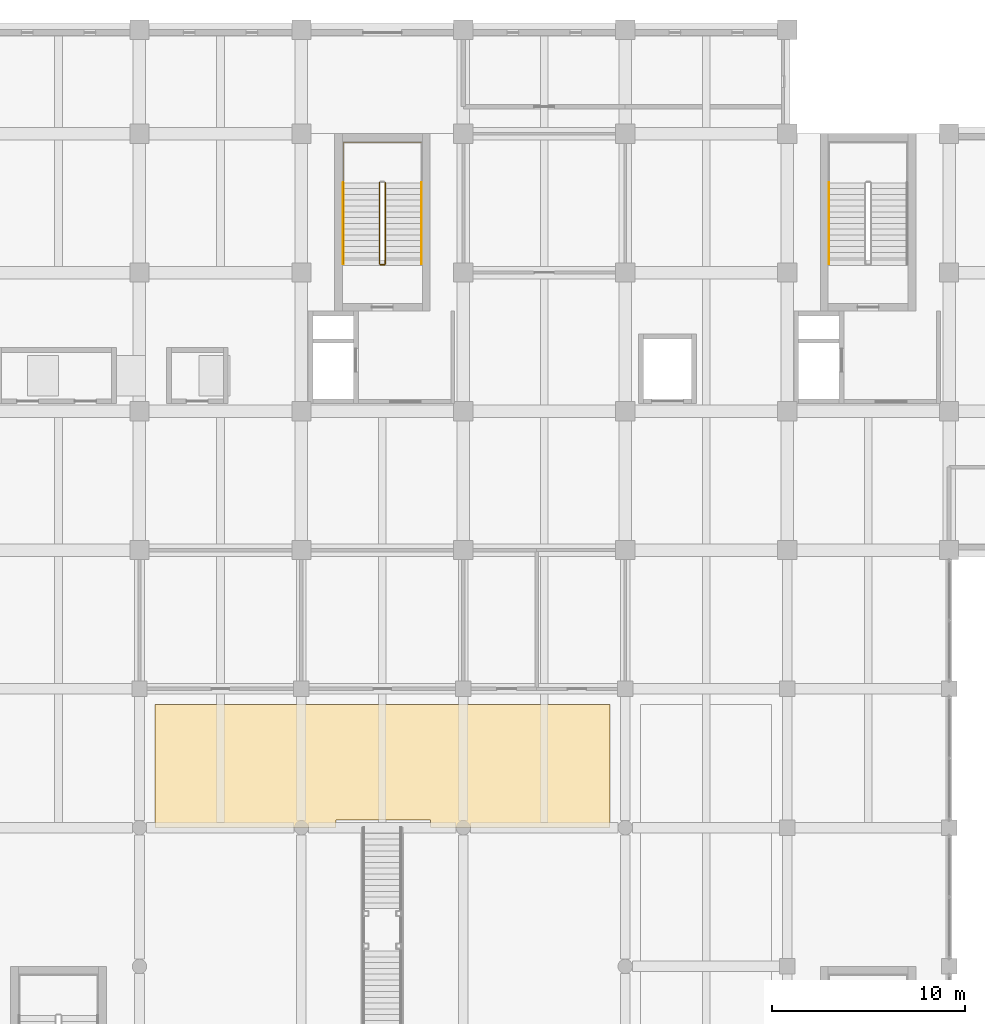
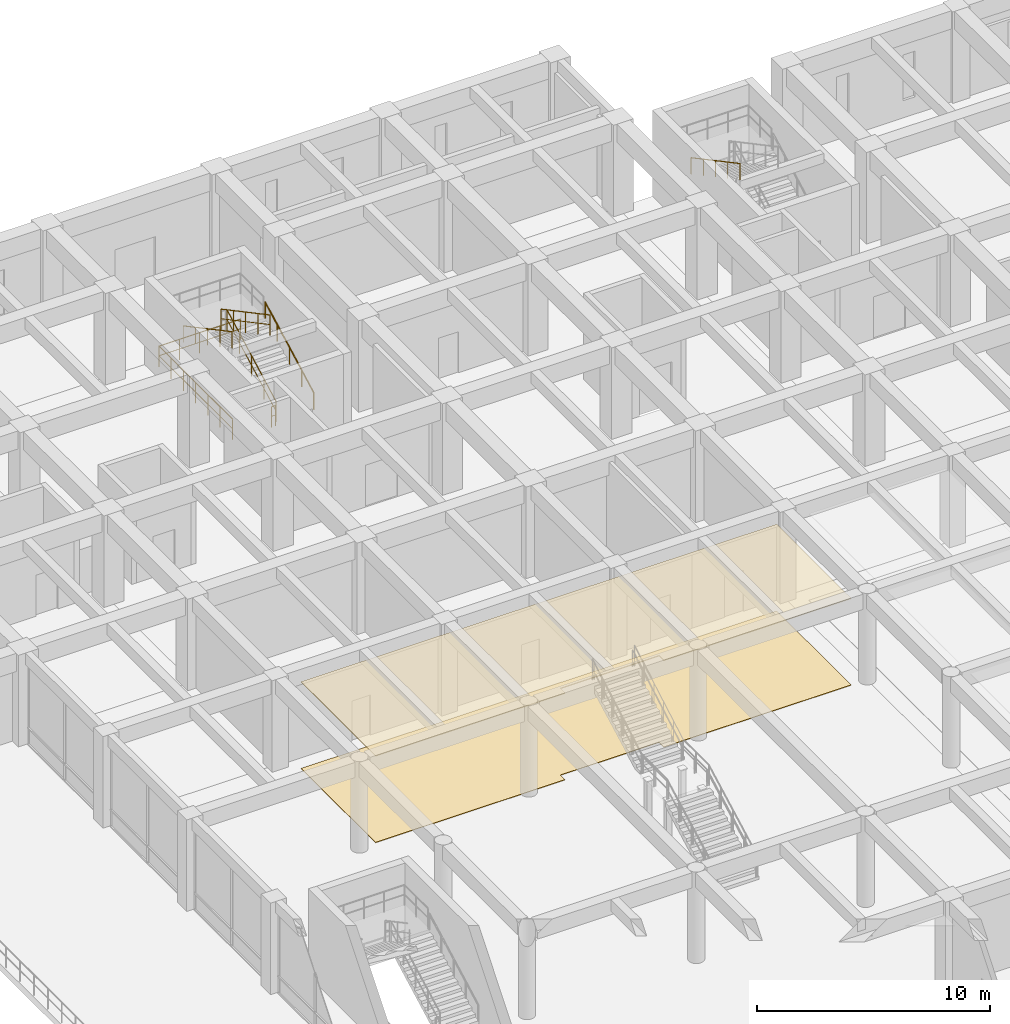
# One storey, part 45 of 49: 7 railings, 2 coverings.
"""IFC4 building model written with IfcOpenShell, lengths in metres."""

from ifc_helpers import new_model, si_unit, direction, frame, origin, origin_2d, place, context, subcontext, project, spatial, polyline, circle, outline, extrude, material, layer, layer_set, type_object, element, save


model = new_model("IFC4")

# Units and contexts
model_context = context("Model", 3, precision=1e-05, world=origin(), true_north=direction((0.0, 1.0)))
body_context = subcontext(model_context, "Body", "Model", "MODEL_VIEW")
ifc_project = project(units=[si_unit("LENGTHUNIT", "METRE"), si_unit("AREAUNIT", "SQUARE_METRE"), si_unit("VOLUMEUNIT", "CUBIC_METRE"), si_unit("PLANEANGLEUNIT", "RADIAN"), si_unit("MASSUNIT", "GRAM", prefix="KILO")], contexts=[model_context])

# Site, building, storey
site_placement = place(None, origin())
site = spatial("IfcSite", under=ifc_project, at=site_placement, CompositionType="ELEMENT")
building_placement = place(site_placement, origin())
building = spatial("IfcBuilding", under=site, at=building_placement, Name="Kenerak Square Central Library", CompositionType="ELEMENT")
storey_placement = place(building_placement, origin())
storey = spatial("IfcBuildingStorey", under=building, at=storey_placement, Name="L00", CompositionType="ELEMENT", Elevation=0.0)

# Coverings
ifc_material_1 = material(Name="Chengal hardwood timber SG1", Category="wood")
ifc_layer_1 = layer(ifc_material_1, 0.044921875)
ifc_layer_set_1 = layer_set([ifc_layer_1], Name="Chengal hardwood timber SG1")
covering_type_1 = type_object("IfcCoveringType", Name="Perforated Chengal Acoustic Ceiling CV-CEIL", PredefinedType="CEILING", material=ifc_layer_set_1)
covering_1_placement = place(storey_placement, frame((0.0, 0.0, 4.530029296875)))
element("IfcCovering", 1, at=covering_1_placement, inside=storey, type_object=covering_type_1, Name="Acoustic Ceiling L00-12", PredefinedType="CEILING", context=body_context, shape_type="SweptSolid", body=[
    extrude(outline(polyline([(90.300048828125, 74.800048828125), (85.39990234375, 74.800048828125), (85.39990234375, 74.39990234375), (76.0, 74.39990234375), (76.0, 80.800048828125), (99.60009765625, 80.800048828125), (99.60009765625, 74.39990234375), (90.300048828125, 74.39990234375), (90.300048828125, 74.800048828125)])), origin(), (0.0, 0.0, 1.0), 0.044921875),
])
ifc_material_2 = material(Name="Polished granite aggregate terrazzo", Category="masonry")
ifc_layer_2 = layer(ifc_material_2, 0.02490234375)
ifc_layer_set_2 = layer_set([ifc_layer_2], Name="Polished granite aggregate terrazzo")
covering_type_2 = type_object("IfcCoveringType", Name="Polished Terrazzo Reading Floor Finish CV-FLR", PredefinedType="FLOORING", material=ifc_layer_set_2)
covering_2_placement = place(storey_placement, origin())
element("IfcCovering", 2, at=covering_2_placement, inside=storey, type_object=covering_type_2, Name="Terrazzo Floor Finish L00-12", PredefinedType="FLOORING", context=body_context, shape_type="SweptSolid", body=[
    extrude(outline(polyline([(90.300048828125, 74.800048828125), (85.39990234375, 74.800048828125), (85.39990234375, 74.39990234375), (76.0, 74.39990234375), (76.0, 80.800048828125), (99.60009765625, 80.800048828125), (99.60009765625, 74.39990234375), (90.300048828125, 74.39990234375), (90.300048828125, 74.800048828125)])), origin(), (0.0, 0.0, 1.0), 0.02490234375),
])

# Railings
ifc_material_3 = material(Name="Steel S355", Category="steel")
railing_type_1 = type_object("IfcRailingType", Name="Safety Guardrail GR-1100 S355", PredefinedType="GUARDRAIL", material=ifc_material_3)
railing_1_placement = place(storey_placement, frame((87.949951171875, 103.64990234375, 0.159912109375)))
element("IfcRailing", 3, at=railing_1_placement, inside=storey, type_object=railing_type_1, Name="L00 ST-02 stair guard 1", PredefinedType="GUARDRAIL", context=body_context, shape_type="SweptSolid", body=[
    extrude(circle(Radius=0.02392578125, at=origin_2d()), frame((0.0, 0.0, 1.076171875), z_axis=(0.0, 0.882362879185, 0.470569601054), x_axis=(-1.0, 0.0, 0.0)), (0.0, 0.0, 1.0), 4.76025390625),
    extrude(circle(Radius=0.01806640625, at=origin_2d()), frame((0.0, 0.0, 0.572021484375), z_axis=(0.0, 0.882362879185, 0.470569601054), x_axis=(-1.0, 0.0, 0.0)), (0.0, 0.0, 1.0), 4.76025390625),
    extrude(circle(Radius=0.02099609375, at=origin_2d()), origin(), (0.0, 0.0, 1.0), 1.052001953125),
    extrude(circle(Radius=0.02099609375, at=origin_2d()), frame((0.0, 1.050048828125, 0.56005859375)), (0.0, 0.0, 1.0), 1.052001953125),
    extrude(circle(Radius=0.02099609375, at=origin_2d()), frame((0.0, 2.10009765625, 1.1201171875)), (0.0, 0.0, 1.0), 1.052001953125),
    extrude(circle(Radius=0.02099609375, at=origin_2d()), frame((0.0, 3.150146484375, 1.679931640625)), (0.0, 0.0, 1.0), 1.052001953125),
    extrude(circle(Radius=0.02099609375, at=origin_2d()), frame((0.0, 4.2001953125, 2.239990234375)), (0.0, 0.0, 1.0), 1.052001953125),
])
railing_2_placement = place(storey_placement, frame((87.64990234375, 107.85009765625, 2.56005859375)))
element("IfcRailing", 4, at=railing_2_placement, inside=storey, type_object=railing_type_1, Name="L00 ST-02 stair guard 3", PredefinedType="GUARDRAIL", context=body_context, shape_type="SweptSolid", body=[
    extrude(circle(Radius=0.02392578125, at=origin_2d()), frame((0.0, 0.0, 1.076171875), z_axis=(0.0, -0.882362879185, 0.470569601054), x_axis=(1.0, 0.0, 0.0)), (0.0, 0.0, 1.0), 4.76025390625),
    extrude(circle(Radius=0.01806640625, at=origin_2d()), frame((0.0, 0.0, 0.572021484375), z_axis=(0.0, -0.882362879185, 0.470569601054), x_axis=(1.0, 0.0, 0.0)), (0.0, 0.0, 1.0), 4.76025390625),
    extrude(circle(Radius=0.02099609375, at=origin_2d()), origin(), (0.0, 0.0, 1.0), 1.052001953125),
    extrude(circle(Radius=0.02099609375, at=origin_2d()), frame((0.0, -1.050048828125, 0.56005859375)), (0.0, 0.0, 1.0), 1.052001953125),
    extrude(circle(Radius=0.02099609375, at=origin_2d()), frame((0.0, -2.10009765625, 1.1201171875)), (0.0, 0.0, 1.0), 1.052001953125),
    extrude(circle(Radius=0.02099609375, at=origin_2d()), frame((0.0, -3.150146484375, 1.679931640625)), (0.0, 0.0, 1.0), 1.052001953125),
    extrude(circle(Radius=0.02099609375, at=origin_2d()), frame((0.0, -4.2001953125, 2.239990234375)), (0.0, 0.0, 1.0), 1.052001953125),
])
railing_3_placement = place(storey_placement, frame((87.89990234375, 103.60009765625, 0.0)))
element("IfcRailing", 5, at=railing_3_placement, inside=storey, type_object=railing_type_1, Name="L00 ST-02 stair guard 4", PredefinedType="GUARDRAIL", context=body_context, shape_type="SweptSolid", body=[
    extrude(circle(Radius=0.02392578125, at=origin_2d()), frame((0.0, 0.0, 1.076171875), z_axis=(-1.0, 0.0, 0.0), x_axis=(0.0, -1.0, 0.0)), (0.0, 0.0, 1.0), 0.199951171875),
    extrude(circle(Radius=0.01806640625, at=origin_2d()), frame((0.0, 0.0, 0.572021484375), z_axis=(-1.0, 0.0, 0.0), x_axis=(0.0, -1.0, 0.0)), (0.0, 0.0, 1.0), 0.199951171875),
    extrude(circle(Radius=0.02099609375, at=origin_2d()), origin(), (0.0, 0.0, 1.0), 1.052001953125),
    extrude(circle(Radius=0.02099609375, at=origin_2d()), frame((-0.199951171875, 0.0, 0.0)), (0.0, 0.0, 1.0), 1.052001953125),
])
railing_4_placement = place(storey_placement, frame((85.780029296875, 103.64990234375, 0.0)))
element("IfcRailing", 6, at=railing_4_placement, inside=storey, type_object=railing_type_1, Name="Stair Well Floor Guard ST-02 L00", PredefinedType="GUARDRAIL", context=body_context, shape_type="SweptSolid", body=[
    extrude(circle(Radius=0.02392578125, at=origin_2d()), frame((0.0, 0.0, 1.076171875), z_axis=(0.0, 1.0, 0.0), x_axis=(-1.0, 0.0, 0.0)), (0.0, 0.0, 1.0), 6.300048828125),
    extrude(circle(Radius=0.01806640625, at=origin_2d()), frame((0.0, 0.0, 0.572021484375), z_axis=(0.0, 1.0, 0.0), x_axis=(-1.0, 0.0, 0.0)), (0.0, 0.0, 1.0), 6.300048828125),
    extrude(circle(Radius=0.02392578125, at=origin_2d()), frame((0.0, 6.300048828125, 1.076171875), z_axis=(1.0, 0.0, 0.0), x_axis=(0.0, 1.0, 0.0)), (0.0, 0.0, 1.0), 4.0400390625),
    extrude(circle(Radius=0.01806640625, at=origin_2d()), frame((0.0, 6.300048828125, 0.572021484375), z_axis=(1.0, 0.0, 0.0), x_axis=(0.0, 1.0, 0.0)), (0.0, 0.0, 1.0), 4.0400390625),
    extrude(circle(Radius=0.02099609375, at=origin_2d()), origin(), (0.0, 0.0, 1.0), 1.052001953125),
    extrude(circle(Radius=0.02099609375, at=origin_2d()), frame((0.0, 1.050048828125, 0.0)), (0.0, 0.0, 1.0), 1.052001953125),
    extrude(circle(Radius=0.02099609375, at=origin_2d()), frame((0.0, 2.10009765625, 0.0)), (0.0, 0.0, 1.0), 1.052001953125),
    extrude(circle(Radius=0.02099609375, at=origin_2d()), frame((0.0, 3.14990234375, 0.0)), (0.0, 0.0, 1.0), 1.052001953125),
    extrude(circle(Radius=0.02099609375, at=origin_2d()), frame((0.0, 4.199951171875, 0.0)), (0.0, 0.0, 1.0), 1.052001953125),
    extrude(circle(Radius=0.02099609375, at=origin_2d()), frame((0.0, 5.25, 0.0)), (0.0, 0.0, 1.0), 1.052001953125),
    extrude(circle(Radius=0.02099609375, at=origin_2d()), frame((0.0, 6.300048828125, 0.0)), (0.0, 0.0, 1.0), 1.052001953125),
    extrude(circle(Radius=0.02099609375, at=origin_2d()), frame((1.010009765625, 6.300048828125, 0.0)), (0.0, 0.0, 1.0), 1.052001953125),
    extrude(circle(Radius=0.02099609375, at=origin_2d()), frame((2.02001953125, 6.300048828125, 0.0)), (0.0, 0.0, 1.0), 1.052001953125),
    extrude(circle(Radius=0.02099609375, at=origin_2d()), frame((3.030029296875, 6.300048828125, 0.0)), (0.0, 0.0, 1.0), 1.052001953125),
    extrude(circle(Radius=0.02099609375, at=origin_2d()), frame((4.0400390625, 6.300048828125, 0.0)), (0.0, 0.0, 1.0), 1.052001953125),
])
railing_type_2 = type_object("IfcRailingType", Name="Stair Handrail HR-880 S355", PredefinedType="HANDRAIL", material=ifc_material_3)
railing_5_placement = place(storey_placement, frame((89.830078125, 103.64990234375, 0.159912109375)))
element("IfcRailing", 7, at=railing_5_placement, inside=storey, type_object=railing_type_2, Name="L00 ST-02 stair handrail 1", PredefinedType="HANDRAIL", context=body_context, shape_type="SweptSolid", body=[
    extrude(circle(Radius=0.02392578125, at=origin_2d()), frame((0.0, 0.0, 0.85595703125), z_axis=(0.0, 0.882362879185, 0.470569601054), x_axis=(-1.0, 0.0, 0.0)), (0.0, 0.0, 1.0), 4.76025390625),
    extrude(circle(Radius=0.02099609375, at=origin_2d()), origin(), (0.0, 0.0, 1.0), 0.831787109375),
    extrude(circle(Radius=0.02099609375, at=origin_2d()), frame((0.0, 1.050048828125, 0.56005859375)), (0.0, 0.0, 1.0), 0.831787109375),
    extrude(circle(Radius=0.02099609375, at=origin_2d()), frame((0.0, 2.10009765625, 1.1201171875)), (0.0, 0.0, 1.0), 0.831787109375),
    extrude(circle(Radius=0.02099609375, at=origin_2d()), frame((0.0, 3.150146484375, 1.679931640625)), (0.0, 0.0, 1.0), 0.831787109375),
    extrude(circle(Radius=0.02099609375, at=origin_2d()), frame((0.0, 4.2001953125, 2.239990234375)), (0.0, 0.0, 1.0), 0.831787109375),
])
for number, where, name in (
    (8, (85.77001953125, 107.85009765625, 2.56005859375), "L00 ST-02 stair handrail 2"),
    (9, (110.969970703125, 107.85009765625, 2.56005859375), "L00 ST-03 stair handrail 2"),
):
    element("IfcRailing", number, at=place(storey_placement, frame(where)), inside=storey, type_object=railing_type_2, Name=name, PredefinedType="HANDRAIL", context=body_context, shape_type="SweptSolid", body=[
        extrude(circle(Radius=0.02392578125, at=origin_2d()), frame((0.0, 0.0, 0.85595703125), z_axis=(0.0, -0.882362879185, 0.470569601054), x_axis=(1.0, 0.0, 0.0)), (0.0, 0.0, 1.0), 4.76025390625),
        extrude(circle(Radius=0.02099609375, at=origin_2d()), origin(), (0.0, 0.0, 1.0), 0.831787109375),
        extrude(circle(Radius=0.02099609375, at=origin_2d()), frame((0.0, -1.050048828125, 0.56005859375)), (0.0, 0.0, 1.0), 0.831787109375),
        extrude(circle(Radius=0.02099609375, at=origin_2d()), frame((0.0, -2.10009765625, 1.1201171875)), (0.0, 0.0, 1.0), 0.831787109375),
        extrude(circle(Radius=0.02099609375, at=origin_2d()), frame((0.0, -3.150146484375, 1.679931640625)), (0.0, 0.0, 1.0), 0.831787109375),
        extrude(circle(Radius=0.02099609375, at=origin_2d()), frame((0.0, -4.2001953125, 2.239990234375)), (0.0, 0.0, 1.0), 0.831787109375),
    ])

save(model, "model.ifc")
